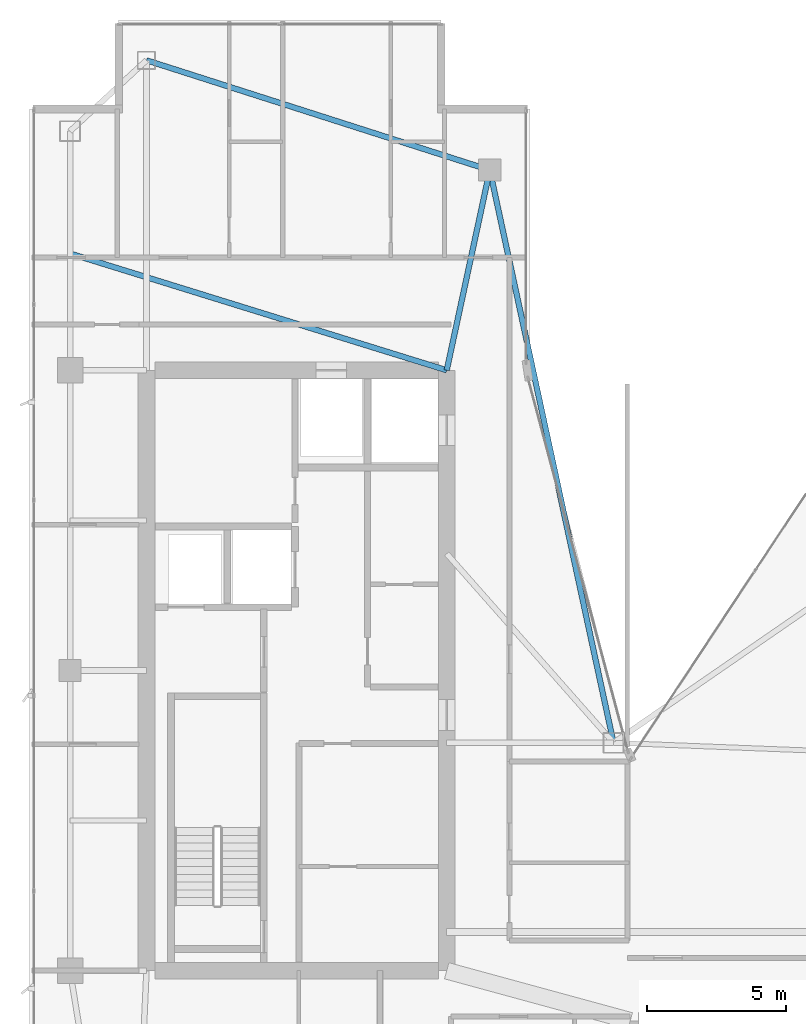
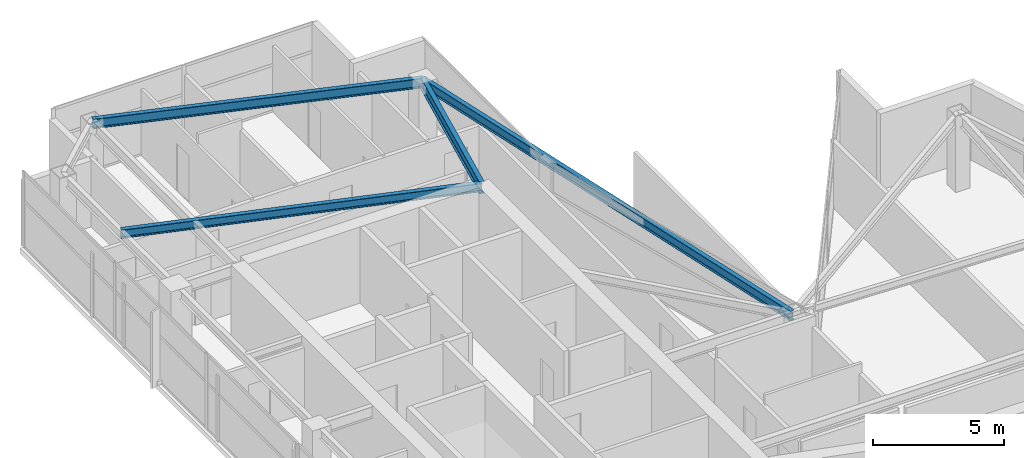
# One storey, part 18 of 28: 4 beams.
"""IFC4 building model written with IfcOpenShell, lengths in metres."""

from ifc_helpers import new_model, si_unit, direction, frame, origin, origin_2d, place, context, subcontext, project, spatial, i_section, extrude, material, material_profile, profile_set, type_object, element, save


model = new_model("IFC4")

# Units and contexts
model_context = context("Model", 3, precision=1e-05, world=origin(), true_north=direction((0.0, 1.0)))
body_context = subcontext(model_context, "Body", "Model", "MODEL_VIEW")
ifc_project = project(units=[si_unit("LENGTHUNIT", "METRE"), si_unit("AREAUNIT", "SQUARE_METRE"), si_unit("VOLUMEUNIT", "CUBIC_METRE"), si_unit("PLANEANGLEUNIT", "RADIAN"), si_unit("MASSUNIT", "GRAM", prefix="KILO")], contexts=[model_context])

# Site, building, storey
site_placement = place(None, origin())
site = spatial("IfcSite", under=ifc_project, at=site_placement, CompositionType="ELEMENT")
building_placement = place(site_placement, origin())
building = spatial("IfcBuilding", under=site, at=building_placement, Name="Calvorn Quay Hotel", CompositionType="ELEMENT")
storey_placement = place(building_placement, frame((0.0, 0.0, 267.300048828125)))
storey = spatial("IfcBuildingStorey", under=building, at=storey_placement, Name="L66", CompositionType="ELEMENT", Elevation=267.300048828125)

# Beams
ifc_material_1 = material(Name="Steel Q355B", Category="steel")
ifc_material_profile_1 = material_profile(ifc_material_1, i_section(OverallWidth=0.199951171875, OverallDepth=0.550048828125, WebThickness=0.010009765625, FlangeThickness=0.01611328125, FilletRadius=0.01806640625, at=origin_2d()), Name="HN550x200x10x16")
ifc_profile_set_1 = profile_set([ifc_material_profile_1], Name="Steel Q355B")
beam_type_1 = type_object("IfcBeamType", Name="BM-GIRD-UPP", PredefinedType="BEAM", material=ifc_profile_set_1)
beam_1_placement = place(storey_placement, frame((16.550048828125, 45.60009765625, 3.264892578125), z_axis=(-0.210457140491, -0.97760308511, 0.0), x_axis=(0.97760308511, -0.210457140491, 0.0)))
element("IfcBeam", 1, at=beam_1_placement, inside=storey, type_object=beam_type_1, Name="Beam BG-L66-W6", PredefinedType="BEAM", context=body_context, shape_type="SweptSolid", body=[
    extrude(i_section(OverallWidth=0.199951171875, OverallDepth=0.550048828125, WebThickness=0.010009765625, FlangeThickness=0.01611328125, FilletRadius=0.01806640625, at=origin_2d()), origin(), (0.0, 0.0, 1.0), 7.365234375),
])
ifc_material_2 = material(Name="Steel Q355B", Category="steel")
ifc_material_profile_2 = material_profile(ifc_material_2, i_section(OverallWidth=0.199951171875, OverallDepth=0.39990234375, WebThickness=0.008056640625, FlangeThickness=0.012939453125, FilletRadius=0.01611328125, at=origin_2d()), Name="HN400x200x8x13")
ifc_profile_set_2 = profile_set([ifc_material_profile_2], Name="Steel Q355B")
beam_type_2 = type_object("IfcBeamType", Name="BM-JOIST-TYP", PredefinedType="JOIST", material=ifc_profile_set_2)
beam_2_placement = place(storey_placement, frame((1.449951171875, 42.60009765625, 3.33984375), z_axis=(0.955163702122, -0.296078202759, 0.0), x_axis=(0.296078202759, 0.955163702122, 0.0)))
element("IfcBeam", 2, at=beam_2_placement, inside=storey, type_object=beam_type_2, Name="Beam BJ-L66-W2", PredefinedType="JOIST", context=body_context, shape_type="SweptSolid", body=[
    extrude(i_section(OverallWidth=0.199951171875, OverallDepth=0.39990234375, WebThickness=0.008056640625, FlangeThickness=0.012939453125, FilletRadius=0.01611328125, at=origin_2d()), origin(), (0.0, 0.0, 1.0), 14.18603515625),
])
ifc_material_3 = material(Name="Steel Q355B", Category="steel")
ifc_material_profile_3 = material_profile(ifc_material_3, i_section(OverallWidth=0.199951171875, OverallDepth=0.449951171875, WebThickness=0.009033203125, FlangeThickness=0.013916015625, FilletRadius=0.01611328125, at=origin_2d()), Name="HN450x200x9x14")
ifc_profile_set_3 = profile_set([ifc_material_profile_3], Name="Steel Q355B")
beam_type_3 = type_object("IfcBeamType", Name="BM-SPANDREL-Z3", PredefinedType="SPANDREL", material=ifc_profile_set_3)
beam_3_placement = place(storey_placement, frame((4.199951171875, 49.550048828125, 3.31494140625), z_axis=(0.952470702374, -0.304630203885, 0.0), x_axis=(0.304630203885, 0.952470702374, 0.0)))
element("IfcBeam", 3, at=beam_3_placement, inside=storey, type_object=beam_type_3, Name="Beam BSP-L66-W6", PredefinedType="SPANDREL", context=body_context, shape_type="SweptSolid", body=[
    extrude(i_section(OverallWidth=0.199951171875, OverallDepth=0.449951171875, WebThickness=0.009033203125, FlangeThickness=0.013916015625, FilletRadius=0.01611328125, at=origin_2d()), origin(), (0.0, 0.0, 1.0), 12.96630859375),
])
beam_4_placement = place(storey_placement, frame((16.550048828125, 45.60009765625, 3.31494140625), z_axis=(0.211145848376, -0.977454567084, 0.0), x_axis=(0.977454567084, 0.211145848376, 0.0)))
element("IfcBeam", 4, at=beam_4_placement, inside=storey, type_object=beam_type_3, Name="Beam BSP-L66-W7", PredefinedType="SPANDREL", context=body_context, shape_type="SweptSolid", body=[
    extrude(i_section(OverallWidth=0.199951171875, OverallDepth=0.449951171875, WebThickness=0.009033203125, FlangeThickness=0.013916015625, FilletRadius=0.01611328125, at=origin_2d()), origin(), (0.0, 0.0, 1.0), 21.0751953125),
])

save(model, "model.ifc")
